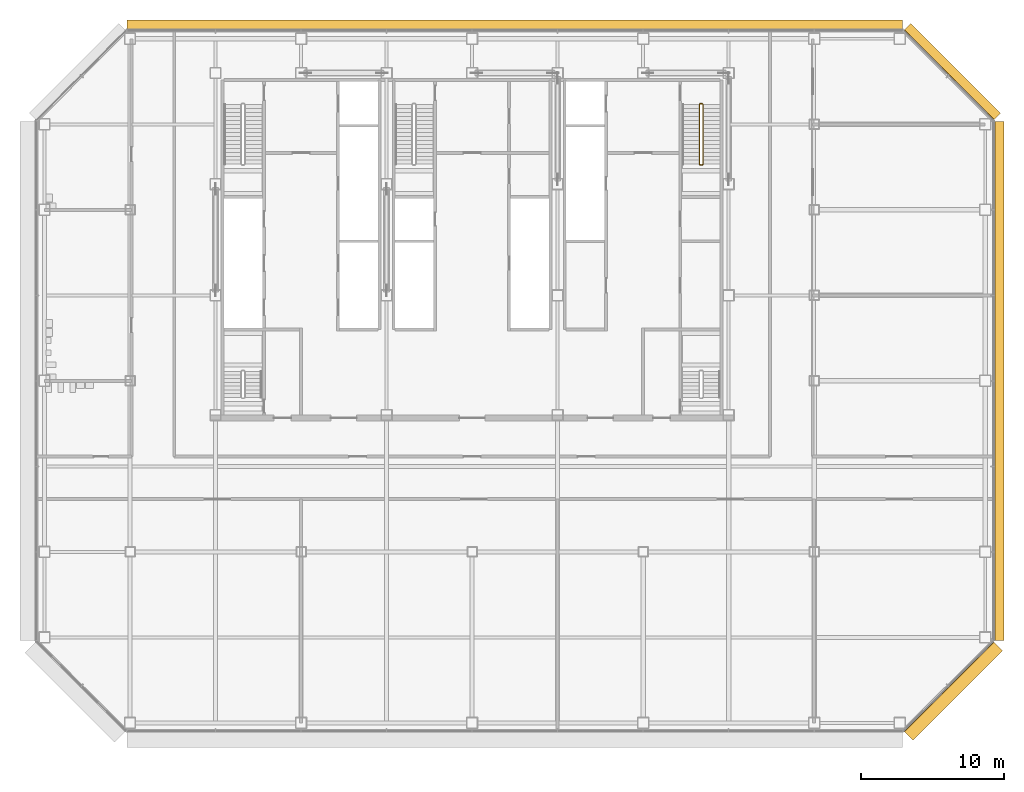
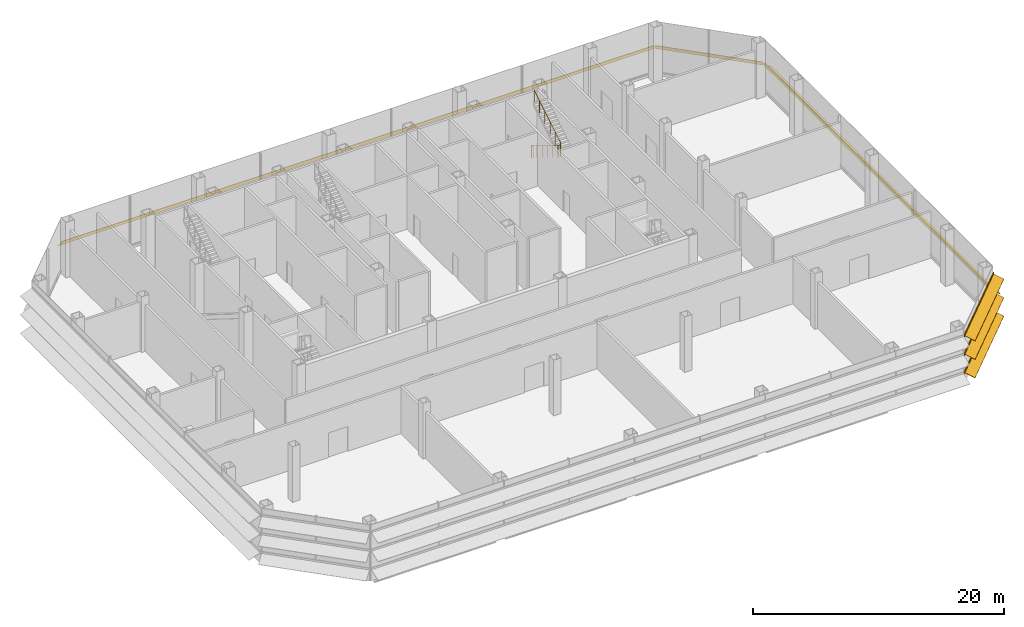
# One storey, part 22 of 23: 4 shading devices, 1 railing.
"""IFC4 building model written with IfcOpenShell, lengths in metres."""

from ifc_helpers import new_model, si_unit, direction, frame, origin, origin_2d, place, context, subcontext, project, spatial, polyline, circle, outline, composite_profile, extrude, material, type_object, element, save


model = new_model("IFC4")

# Units and contexts
model_context = context("Model", 3, precision=1e-05, world=origin(), true_north=direction((0.0, 1.0)))
body_context = subcontext(model_context, "Body", "Model", "MODEL_VIEW")
ifc_project = project(units=[si_unit("LENGTHUNIT", "METRE"), si_unit("AREAUNIT", "SQUARE_METRE"), si_unit("VOLUMEUNIT", "CUBIC_METRE"), si_unit("PLANEANGLEUNIT", "RADIAN"), si_unit("MASSUNIT", "GRAM", prefix="KILO")], contexts=[model_context])

# Site, building, storey
site_placement = place(None, origin())
site = spatial("IfcSite", under=ifc_project, at=site_placement, CompositionType="ELEMENT")
building_placement = place(site_placement, origin())
building = spatial("IfcBuilding", under=site, at=building_placement, Name="Sorahane Residences", CompositionType="ELEMENT")
storey_placement = place(building_placement, frame((0.0, 0.0, 114.199951171875)))
storey = spatial("IfcBuildingStorey", under=building, at=storey_placement, Name="L25", CompositionType="ELEMENT", Elevation=114.199951171875)

# Shading devices
ifc_material_1 = material(Name="Terracotta anodised aluminium", Category="masonry")
shading_device_type_1 = type_object("IfcShadingDeviceType", Name="Louvre sunshade blade E terracotta aluminium 700", PredefinedType="JALOUSIE", material=ifc_material_1)
shading_device_1_placement = place(storey_placement, frame((60.60009765625, 5.801513671875, 2.699951171875), z_axis=(0.0, 1.0, 0.0), x_axis=(-1.0, 0.0, 0.0)))
element("IfcShadingDevice", 1, at=shading_device_1_placement, inside=storey, type_object=shading_device_type_1, Name="Louvre sunshade blade bank E L25 E1", PredefinedType="JALOUSIE", context=body_context, shape_type="SweptSolid", body=[
    extrude(outline(polyline([(-0.719970703125, -0.49365234375), (-0.719970703125, -0.523681640625), (-0.080078125, -0.05859375), (-0.080078125, -0.14990234375), (-0.02001953125, -0.14990234375), (-0.02001953125, -0.014892578125), (-0.02001953125, 0.014892578125), (-0.02001953125, 0.14990234375), (-0.080078125, 0.14990234375), (-0.080078125, -0.028564453125), (-0.719970703125, -0.49365234375)])), origin(), (0.0, 0.0, 1.0), 36.39697265625),
])
ifc_material_2 = material(Name="Terracotta anodised aluminium", Category="masonry")
shading_device_type_2 = type_object("IfcShadingDeviceType", Name="Louvre sunshade blade N terracotta aluminium 700", PredefinedType="JALOUSIE", material=ifc_material_2)
shading_device_2_placement = place(storey_placement, frame((54.198486328125, 48.60009765625, 2.699951171875), z_axis=(-1.0, 0.0, 0.0), x_axis=(0.0, -1.0, 0.0)))
element("IfcShadingDevice", 2, at=shading_device_2_placement, inside=storey, type_object=shading_device_type_2, Name="Louvre sunshade blade bank N L25 N1", PredefinedType="JALOUSIE", context=body_context, shape_type="SweptSolid", body=[
    extrude(outline(polyline([(-0.719970703125, -0.660888671875), (-0.719970703125, -0.69091796875), (-0.080078125, -0.072998046875), (-0.080078125, -0.14990234375), (-0.02001953125, -0.14990234375), (-0.02001953125, -0.014892578125), (-0.02001953125, 0.014892578125), (-0.02001953125, 0.14990234375), (-0.080078125, 0.14990234375), (-0.080078125, -0.04296875), (-0.719970703125, -0.660888671875)])), origin(), (0.0, 0.0, 1.0), 54.39697265625),
])
ifc_material_3 = material(Name="Terracotta anodised aluminium", Category="masonry")
shading_device_type_3 = type_object("IfcShadingDeviceType", Name="Louvre sunshade blade NE terracotta aluminium 700", PredefinedType="JALOUSIE", material=ifc_material_3)
shading_device_3_placement = place(storey_placement, frame((60.564697265625, 42.283935546875, 2.699951171875), z_axis=(-0.707106781187, 0.707106781187, 0.0), x_axis=(-0.707106781187, -0.707106781187, 0.0)))
element("IfcShadingDevice", 3, at=shading_device_3_placement, inside=storey, type_object=shading_device_type_3, Name="Louvre sunshade blade bank NE L25 NE1", PredefinedType="JALOUSIE", context=body_context, shape_type="SweptSolid", body=[
    extrude(outline(polyline([(-0.719970703125, -0.572509765625), (-0.719970703125, -0.602294921875), (-0.080078125, -0.065185546875), (-0.080078125, -0.14990234375), (-0.02001953125, -0.14990234375), (-0.02001953125, -0.014892578125), (-0.02001953125, 0.014892578125), (-0.02001953125, 0.14990234375), (-0.080078125, 0.14990234375), (-0.080078125, -0.035400390625), (-0.719970703125, -0.572509765625)])), origin(), (0.0, 0.0, 1.0), 8.88232421875),
])
ifc_material_4 = material(Name="Terracotta anodised aluminium", Category="masonry")
shading_device_type_4 = type_object("IfcShadingDeviceType", Name="Louvre sunshade blade SE terracotta aluminium 900", PredefinedType="JALOUSIE", material=ifc_material_4)
shading_device_4_placement = place(storey_placement, frame((54.283935546875, -0.564697265625, 0.900146484375), z_axis=(0.707106781187, 0.707106781187, 0.0), x_axis=(-0.707106781187, 0.707106781187, 0.0)))
element("IfcShadingDevice", 4, at=shading_device_4_placement, inside=storey, type_object=shading_device_type_4, Name="Louvre sunshade blade bank SE L25 SE1", PredefinedType="JALOUSIE", context=body_context, shape_type="SweptSolid", body=[
    extrude(composite_profile([outline(polyline([(-0.919921875, -0.3486328125), (-0.919921875, -0.378662109375), (-0.080078125, -0.039306640625), (-0.080078125, -0.14990234375), (-0.02001953125, -0.14990234375), (-0.02001953125, -0.014892578125), (-0.02001953125, 0.014892578125), (-0.02001953125, 0.14990234375), (-0.080078125, 0.14990234375), (-0.080078125, -0.00927734375), (-0.919921875, -0.3486328125)])), outline(polyline([(-0.919921875, 1.451416015625), (-0.919921875, 1.42138671875), (-0.080078125, 1.7607421875), (-0.080078125, 1.64990234375), (-0.02001953125, 1.64990234375), (-0.02001953125, 1.784912109375), (-0.02001953125, 1.81494140625), (-0.02001953125, 1.949951171875), (-0.080078125, 1.949951171875), (-0.080078125, 1.790771484375), (-0.919921875, 1.451416015625)])), outline(polyline([(-0.919921875, 3.25146484375), (-0.919921875, 3.221435546875), (-0.080078125, 3.560791015625), (-0.080078125, 3.449951171875), (-0.02001953125, 3.449951171875), (-0.02001953125, 3.5849609375), (-0.02001953125, 3.614990234375), (-0.02001953125, 3.75), (-0.080078125, 3.75), (-0.080078125, 3.5908203125), (-0.919921875, 3.25146484375)]))]), origin(), (0.0, 0.0, 1.0), 8.88232421875),
])

# Railing
ifc_material_5 = material(Name="Steel Q355B", Category="steel")
railing_type = type_object("IfcRailingType", Name="Stair guard 1200 Steel Q355B", PredefinedType="GUARDRAIL", material=ifc_material_5)
railing_placement = place(storey_placement, frame((40.14990234375, 43.449951171875, 0.0)))
element("IfcRailing", 5, at=railing_placement, inside=storey, type_object=railing_type, Name="L25 S2 stair guard 1", PredefinedType="GUARDRAIL", context=body_context, shape_type="SweptSolid", body=[
    extrude(circle(Radius=0.02392578125, at=origin_2d()), frame((0.0, 0.0, 1.17578125), z_axis=(-1.0, 0.0, 0.0), x_axis=(0.0, -1.0, 0.0)), (0.0, 0.0, 1.0), 0.14990234375),
    extrude(circle(Radius=0.02392578125, at=origin_2d()), frame((-0.14990234375, 0.0, 1.17578125), z_axis=(-0.273569069059, -0.273569069059, 0.922127935218), x_axis=(0.707106781187, -0.707106781187, 0.0)), (0.0, 0.0, 1.0), 0.182861328125),
    extrude(circle(Radius=0.02392578125, at=origin_2d()), frame((-0.199951171875, -0.050048828125, 1.3447265625), z_axis=(0.0, -0.856476492594, 0.516186030065), x_axis=(1.0, 0.0, 0.0)), (0.0, 0.0, 1.0), 4.90380859375),
    extrude(circle(Radius=0.02392578125, at=origin_2d()), frame((-0.199951171875, -4.25, 3.8759765625), z_axis=(0.707106781187, -0.707106781187, 0.0), x_axis=(0.707106781187, 0.707106781187, 0.0)), (0.0, 0.0, 1.0), 0.07080078125),
    extrude(circle(Radius=0.02392578125, at=origin_2d()), frame((-0.14990234375, -4.300048828125, 3.8759765625), z_axis=(1.0, 0.0, 0.0), x_axis=(0.0, 1.0, 0.0)), (0.0, 0.0, 1.0), 0.14990234375),
    extrude(circle(Radius=0.02392578125, at=origin_2d()), frame((0.0, -4.300048828125, 3.8759765625), z_axis=(0.273232802156, 0.273232802156, 0.922327312645), x_axis=(-0.707106781187, 0.707106781187, 0.0)), (0.0, 0.0, 1.0), 0.18310546875),
    extrude(circle(Radius=0.02392578125, at=origin_2d()), frame((0.050048828125, -4.25, 4.044921875), z_axis=(0.0, 0.856476492594, 0.516186030065), x_axis=(-1.0, 0.0, 0.0)), (0.0, 0.0, 1.0), 4.90380859375),
    extrude(circle(Radius=0.02099609375, at=origin_2d()), origin(), (0.0, 0.0, 1.0), 1.15185546875),
    extrude(circle(Radius=0.02099609375, at=origin_2d()), frame((-0.14990234375, 0.0, 0.0)), (0.0, 0.0, 1.0), 1.15185546875),
    extrude(circle(Radius=0.02099609375, at=origin_2d()), frame((-0.199951171875, -0.050048828125, 0.168701171875)), (0.0, 0.0, 1.0), 1.15185546875),
    extrude(circle(Radius=0.02099609375, at=origin_2d()), frame((-0.199951171875, -0.89013671875, 0.675048828125)), (0.0, 0.0, 1.0), 1.15185546875),
    extrude(circle(Radius=0.02099609375, at=origin_2d()), frame((-0.199951171875, -1.72998046875, 1.18115234375)), (0.0, 0.0, 1.0), 1.15185546875),
    extrude(circle(Radius=0.02099609375, at=origin_2d()), frame((-0.199951171875, -2.570068359375, 1.6875)), (0.0, 0.0, 1.0), 1.15185546875),
    extrude(circle(Radius=0.02099609375, at=origin_2d()), frame((-0.199951171875, -3.409912109375, 2.193603515625)), (0.0, 0.0, 1.0), 1.15185546875),
    extrude(circle(Radius=0.02099609375, at=origin_2d()), frame((-0.199951171875, -4.25, 2.699951171875)), (0.0, 0.0, 1.0), 1.15185546875),
    extrude(circle(Radius=0.02099609375, at=origin_2d()), frame((-0.14990234375, -4.300048828125, 2.699951171875)), (0.0, 0.0, 1.0), 1.15185546875),
    extrude(circle(Radius=0.02099609375, at=origin_2d()), frame((0.0, -4.300048828125, 2.699951171875)), (0.0, 0.0, 1.0), 1.15185546875),
    extrude(circle(Radius=0.02099609375, at=origin_2d()), frame((0.050048828125, -4.25, 2.868896484375)), (0.0, 0.0, 1.0), 1.15185546875),
    extrude(circle(Radius=0.02099609375, at=origin_2d()), frame((0.050048828125, -3.409912109375, 3.375244140625)), (0.0, 0.0, 1.0), 1.15185546875),
    extrude(circle(Radius=0.02099609375, at=origin_2d()), frame((0.050048828125, -2.570068359375, 3.88134765625)), (0.0, 0.0, 1.0), 1.15185546875),
    extrude(circle(Radius=0.02099609375, at=origin_2d()), frame((0.050048828125, -1.72998046875, 4.3876953125)), (0.0, 0.0, 1.0), 1.15185546875),
    extrude(circle(Radius=0.02099609375, at=origin_2d()), frame((0.050048828125, -0.89013671875, 4.893798828125)), (0.0, 0.0, 1.0), 1.15185546875),
    extrude(circle(Radius=0.02099609375, at=origin_2d()), frame((0.050048828125, -0.050048828125, 5.400146484375)), (0.0, 0.0, 1.0), 1.15185546875),
])

save(model, "model.ifc")
